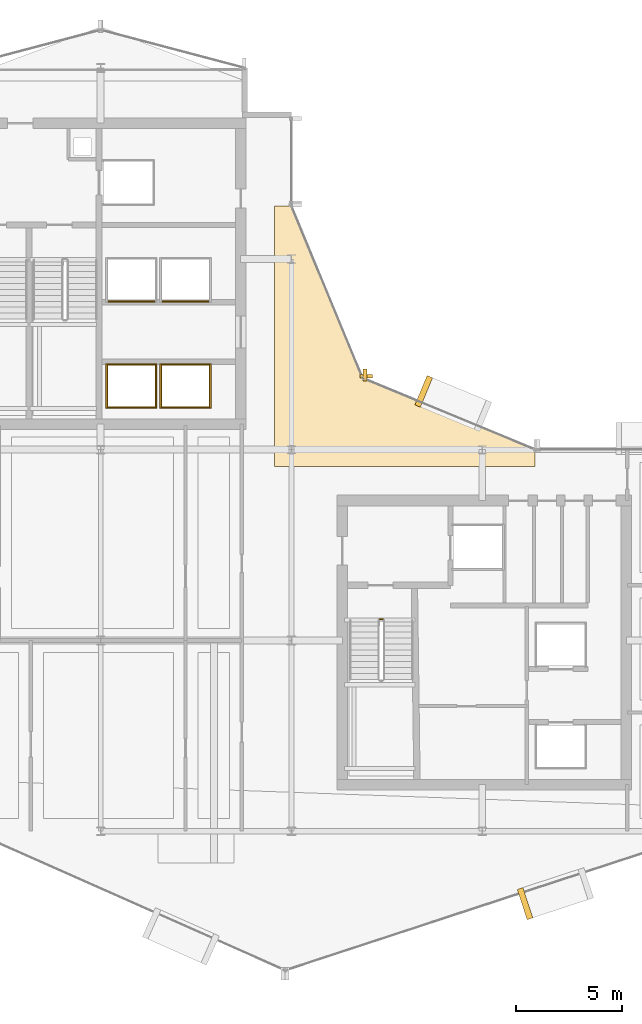
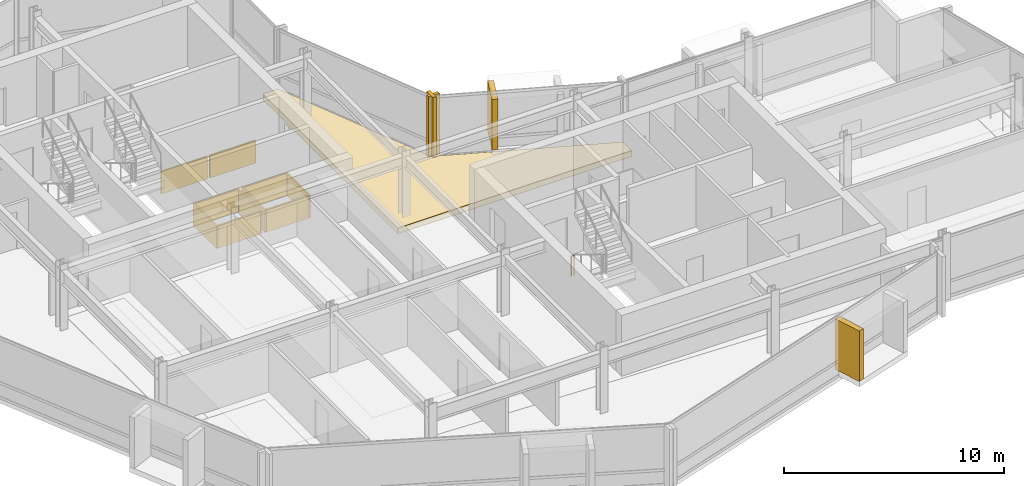
# One storey, part 25 of 27: 15 coverings, 1 railing.
"""IFC4 building model written with IfcOpenShell, lengths in metres."""

from ifc_helpers import new_model, si_unit, direction, frame, origin, origin_2d, place, context, subcontext, project, spatial, polyline, rectangle, circle, outline, extrude, material, layer, layer_set, type_object, element, save


model = new_model("IFC4")

# Units and contexts
model_context = context("Model", 3, precision=1e-05, world=origin(), true_north=direction((0.0, 1.0)))
body_context = subcontext(model_context, "Body", "Model", "MODEL_VIEW")
ifc_project = project(units=[si_unit("LENGTHUNIT", "METRE"), si_unit("AREAUNIT", "SQUARE_METRE"), si_unit("VOLUMEUNIT", "CUBIC_METRE"), si_unit("PLANEANGLEUNIT", "RADIAN"), si_unit("MASSUNIT", "GRAM", prefix="KILO")], contexts=[model_context])

# Site, building, storey
site_placement = place(None, origin())
site = spatial("IfcSite", under=ifc_project, at=site_placement, CompositionType="ELEMENT")
building_placement = place(site_placement, origin())
building = spatial("IfcBuilding", under=site, at=building_placement, Name="Solvaryn Broadcast Tower", CompositionType="ELEMENT")
storey_placement = place(building_placement, frame((0.0, 0.0, 192.699951171875)))
storey = spatial("IfcBuildingStorey", under=building, at=storey_placement, Name="L48", CompositionType="ELEMENT", Elevation=192.699951171875)

# Coverings
ifc_material_1 = material(Name="Fire-Rated Gypsum Shaftwall Liner", Category="concrete")
ifc_layer_1 = layer(ifc_material_1, 0.080078125)
ifc_layer_set_1 = layer_set([ifc_layer_1], Name="CV-SHAFT-LINER")
covering_type_1 = type_object("IfcCoveringType", Name="CV-SHAFT-LINER", PredefinedType="CLADDING", material=ifc_layer_set_1)
for number, where, z_axis, x_axis, name in (
    (1, (19.449951171875, 31.014892578125, 0.0), (0.0, 0.0, 1.0), (1.0, 0.0, 0.0), "L48 PH1 Hoistway Shaft Liner North"),
    (2, (19.449951171875, 28.985107421875, 0.0), (0.0, 0.0, 1.0), (1.0, 0.0, 0.0), "L48 PH1 Hoistway Shaft Liner South"),
):
    element("IfcCovering", number, at=place(storey_placement, frame(where, z_axis=z_axis, x_axis=x_axis)), inside=storey, type_object=covering_type_1, Name=name, PredefinedType="CLADDING", context=body_context, shape_type="SweptSolid", body=[
        extrude(rectangle(XDim=2.409912109375, YDim=0.080078125, at=origin_2d()), origin(), (0.0, 0.0, 1.0), 1.25),
    ])
for number, where, z_axis, x_axis, name in (
    (3, (20.614990234375, 30.0, 0.0), (0.0, 0.0, 1.0), (1.0, 0.0, 0.0), "L48 PH1 Hoistway Shaft Liner East"),
    (4, (18.284912109375, 30.0, 0.0), (0.0, 0.0, 1.0), (1.0, 0.0, 0.0), "L48 PH1 Hoistway Shaft Liner West"),
):
    element("IfcCovering", number, at=place(storey_placement, frame(where, z_axis=z_axis, x_axis=x_axis)), inside=storey, type_object=covering_type_1, Name=name, PredefinedType="CLADDING", context=body_context, shape_type="SweptSolid", body=[
        extrude(rectangle(XDim=0.080078125, YDim=2.110107421875, at=origin_2d()), origin(), (0.0, 0.0, 1.0), 1.25),
    ])
for number, where, z_axis, x_axis, name in (
    (5, (22.0, 31.014892578125, 0.0), (0.0, 0.0, 1.0), (1.0, 0.0, 0.0), "L48 PH2 Hoistway Shaft Liner North"),
    (6, (22.0, 28.985107421875, 0.0), (0.0, 0.0, 1.0), (1.0, 0.0, 0.0), "L48 PH2 Hoistway Shaft Liner South"),
):
    element("IfcCovering", number, at=place(storey_placement, frame(where, z_axis=z_axis, x_axis=x_axis)), inside=storey, type_object=covering_type_1, Name=name, PredefinedType="CLADDING", context=body_context, shape_type="SweptSolid", body=[
        extrude(rectangle(XDim=2.409912109375, YDim=0.080078125, at=origin_2d()), origin(), (0.0, 0.0, 1.0), 1.25),
    ])
for number, where, z_axis, x_axis, name in (
    (7, (23.1650390625, 30.0, 0.0), (0.0, 0.0, 1.0), (1.0, 0.0, 0.0), "L48 PH2 Hoistway Shaft Liner East"),
    (8, (20.8349609375, 30.0, 0.0), (0.0, 0.0, 1.0), (1.0, 0.0, 0.0), "L48 PH2 Hoistway Shaft Liner West"),
):
    element("IfcCovering", number, at=place(storey_placement, frame(where, z_axis=z_axis, x_axis=x_axis)), inside=storey, type_object=covering_type_1, Name=name, PredefinedType="CLADDING", context=body_context, shape_type="SweptSolid", body=[
        extrude(rectangle(XDim=0.080078125, YDim=2.110107421875, at=origin_2d()), origin(), (0.0, 0.0, 1.0), 1.25),
    ])
for number, where, z_axis, x_axis, name in (
    (9, (19.449951171875, 33.985107421875, 0.0), (0.0, 0.0, 1.0), (1.0, 0.0, 0.0), "L48 PH3 Hoistway Shaft Liner South"),
    (10, (22.0, 33.985107421875, 0.0), (0.0, 0.0, 1.0), (1.0, 0.0, 0.0), "L48 PH4 Hoistway Shaft Liner South"),
):
    element("IfcCovering", number, at=place(storey_placement, frame(where, z_axis=z_axis, x_axis=x_axis)), inside=storey, type_object=covering_type_1, Name=name, PredefinedType="CLADDING", context=body_context, shape_type="SweptSolid", body=[
        extrude(rectangle(XDim=2.409912109375, YDim=0.080078125, at=origin_2d()), origin(), (0.0, 0.0, 1.0), 1.25),
    ])
ifc_material_2 = material(Name="Glazed Architectural Terracotta Rainscreen Cladding", Category="masonry")
ifc_layer_2 = layer(ifc_material_2, 0.280029296875)
ifc_layer_set_2 = layer_set([ifc_layer_2], Name="CV-TC-CLAD")
covering_type_2 = type_object("IfcCoveringType", Name="CV-TC-CLAD", PredefinedType="CLADDING", material=ifc_layer_set_2)
for number, where, z_axis, x_axis, name in (
    (11, (38.01904296875, 5.584716796875, 0.280029296875), (0.0, 0.0, 1.0), (0.950244253402, 0.311505792684, 0.0), "L48 Projecting Stone Window Box Cheek 4-1"),
    (12, (33.241943359375, 29.751953125, 0.280029296875), (0.0, 0.0, 1.0), (-0.923879532511, 0.382683432365, 0.0), "L48 Projecting Stone Window Box Cheek 5-2"),
):
    element("IfcCovering", number, at=place(storey_placement, frame(where, z_axis=z_axis, x_axis=x_axis)), inside=storey, type_object=covering_type_2, Name=name, PredefinedType="CLADDING", context=body_context, shape_type="SweptSolid", body=[
        extrude(rectangle(XDim=0.280029296875, YDim=1.5, at=origin_2d()), origin(), (0.0, 0.0, 1.0), 2.81005859375),
    ])
ifc_material_3 = material(Name="Extruded Architectural Terracotta Fin", Category="masonry")
ifc_layer_3 = layer(ifc_material_3, 0.179931640625)
ifc_layer_set_3 = layer_set([ifc_layer_3], Name="CV-TC-FIN")
covering_type_3 = type_object("IfcCoveringType", Name="CV-TC-FIN", PredefinedType="USERDEFINED", material=ifc_layer_set_3)
covering_1_placement = place(storey_placement, frame((30.464599609375, 30.52294921875, 0.0), z_axis=(0.0, 0.0, 1.0), x_axis=(1.0, 0.0, 0.0)))
element("IfcCovering", 13, at=covering_1_placement, inside=storey, type_object=covering_type_3, Name="L48 Terracotta Vertical Fin FIN-L48-CN1-M01", ObjectType="FIN", PredefinedType="USERDEFINED", context=body_context, shape_type="SweptSolid", body=[
    extrude(rectangle(XDim=0.179931640625, YDim=0.580078125, at=origin_2d()), origin(), (0.0, 0.0, 1.0), 3.3701171875),
])
covering_2_placement = place(storey_placement, frame((30.52294921875, 30.464599609375, 0.0), z_axis=(0.0, 0.0, 1.0), x_axis=(1.0, 0.0, 0.0)))
element("IfcCovering", 14, at=covering_2_placement, inside=storey, type_object=covering_type_3, Name="L48 Terracotta Vertical Fin FIN-L48-CN2-M00", ObjectType="FIN", PredefinedType="USERDEFINED", context=body_context, shape_type="SweptSolid", body=[
    extrude(rectangle(XDim=0.580078125, YDim=0.179931640625, at=origin_2d()), origin(), (0.0, 0.0, 1.0), 3.3701171875),
])
ifc_material_4 = material(Name="Sculpted Architectural Terracotta Wave Fascia", Category="masonry")
ifc_layer_4 = layer(ifc_material_4, 0.340087890625)
ifc_layer_set_4 = layer_set([ifc_layer_4], Name="CV-WAVE-TRAY")
covering_type_4 = type_object("IfcCoveringType", Name="CV-WAVE-TRAY", PredefinedType="CLADDING", material=ifc_layer_set_4)
covering_3_placement = place(storey_placement, frame((0.0, 0.0, -0.300048828125)))
element("IfcCovering", 15, at=covering_3_placement, inside=storey, type_object=covering_type_4, Name="L48 Concave Canyon Floor Apron", PredefinedType="CLADDING", context=body_context, shape_type="SweptSolid", body=[
    extrude(outline(polyline([(26.199951171875, 26.199951171875), (38.5, 26.199951171875), (38.5, 27.0), (30.367919921875, 30.367919921875), (27.0, 38.5), (26.199951171875, 38.5), (26.199951171875, 26.199951171875)])), origin(), (0.0, 0.0, 1.0), 0.330078125),
])

# Railing
ifc_material_5 = material(Name="Painted Steel Stair Well Guard", Category="steel")
railing_type = type_object("IfcRailingType", Name="RL-STAIR-GUARD", PredefinedType="BALUSTRADE", material=ifc_material_5)
railing_placement = place(storey_placement, frame((31.159912109375, 19.010009765625, 0.0)))
element("IfcRailing", 16, at=railing_placement, inside=storey, type_object=railing_type, Name="L48 ST3 stair guard 4", PredefinedType="BALUSTRADE", context=body_context, shape_type="SweptSolid", body=[
    extrude(circle(Radius=0.02392578125, at=origin_2d()), frame((0.0, 0.0, 1.076171875), z_axis=(1.0, 0.0, 0.0), x_axis=(0.0, 1.0, 0.0)), (0.0, 0.0, 1.0), 0.150146484375),
    extrude(circle(Radius=0.02099609375, at=origin_2d()), origin(), (0.0, 0.0, 1.0), 1.052001953125),
    extrude(circle(Radius=0.02099609375, at=origin_2d()), frame((0.150146484375, 0.0, 0.0)), (0.0, 0.0, 1.0), 1.052001953125),
])

save(model, "model.ifc")
